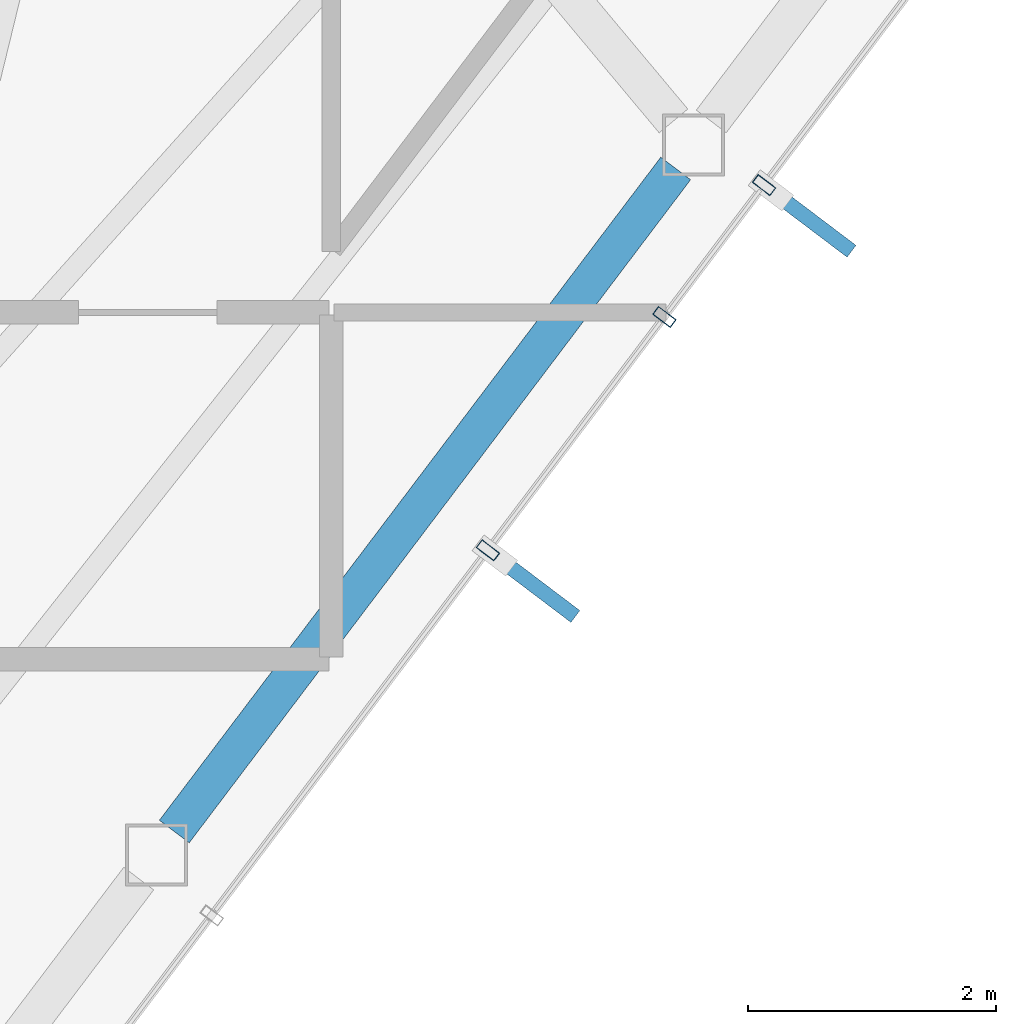
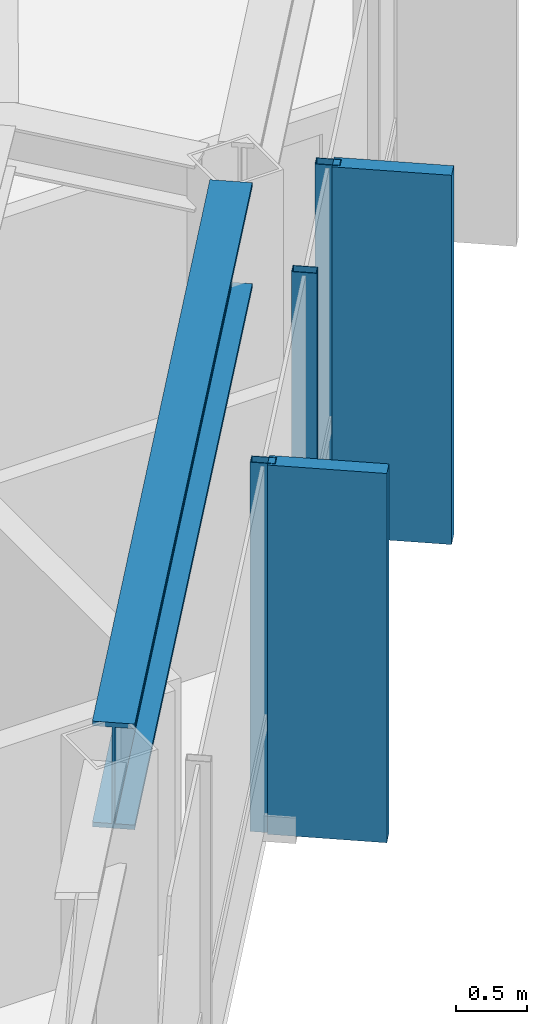
# One storey, part 15 of 24: 5 members, 1 beam, 1 element without a shape of its own.
"""IFC4 building model written with IfcOpenShell, lengths in metres."""

from ifc_helpers import new_model, si_unit, direction, frame, origin, origin_2d, place, context, subcontext, project, spatial, rectangle, hollow_rectangle, i_section, extrude, material, layer, layer_set, material_profile, profile_set, type_object, element, aggregate, save


model = new_model("IFC4")

# Units and contexts
model_context = context("Model", 3, precision=1e-05, world=origin(), true_north=direction((0.0, 1.0)))
body_context = subcontext(model_context, "Body", "Model", "MODEL_VIEW")
ifc_project = project(units=[si_unit("LENGTHUNIT", "METRE"), si_unit("AREAUNIT", "SQUARE_METRE"), si_unit("VOLUMEUNIT", "CUBIC_METRE"), si_unit("PLANEANGLEUNIT", "RADIAN"), si_unit("MASSUNIT", "GRAM", prefix="KILO")], contexts=[model_context])

# Site, building, storey
site_placement = place(None, origin())
site = spatial("IfcSite", under=ifc_project, at=site_placement, CompositionType="ELEMENT")
building_placement = place(site_placement, origin())
building = spatial("IfcBuilding", under=site, at=building_placement, Name="Zarrinselat Tower", CompositionType="ELEMENT")
storey_placement = place(building_placement, frame((0.0, 0.0, 272.0)))
storey = spatial("IfcBuildingStorey", under=building, at=storey_placement, Name="L69", CompositionType="ELEMENT", Elevation=272.0)

# Beam
ifc_material_1 = material(Name="Steel S460M", Category="steel")
ifc_material_profile_1 = material_profile(ifc_material_1, i_section(OverallWidth=0.302001953125, OverallDepth=0.909912109375, WebThickness=0.02099609375, FlangeThickness=0.0400390625, at=origin_2d()), Name="HEM 900")
ifc_profile_set_1 = profile_set([ifc_material_profile_1], Name="Steel S460M")
beam_type = type_object("IfcBeamType", Name="BM-HEM900", PredefinedType="BEAM", material=ifc_profile_set_1)
beam_placement = place(storey_placement, frame((47.08203125, 25.9599609375, 2.72509765625), z_axis=(0.603161908748, 0.797618776005, 0.0), x_axis=(-0.797618776005, 0.603161908748, 0.0)))
element("IfcBeam", 1, at=beam_placement, inside=storey, type_object=beam_type, Name="L69 Perimeter Spandrel Girder SP12", PredefinedType="BEAM", context=body_context, shape_type="SweptSolid", body=[
    extrude(i_section(OverallWidth=0.302001953125, OverallDepth=0.909912109375, WebThickness=0.02099609375, FlangeThickness=0.0400390625, at=origin_2d()), origin(), (0.0, 0.0, 1.0), 6.710693359375),
])

# Curtain wall, members
ifc_material_2 = material(Name="Extruded Aluminium Alloy EN AW-6063 T6", Category="aluminium")
ifc_layer = layer(ifc_material_2, 0.199951171875)
ifc_layer_set = layer_set([ifc_layer], Name="Extruded Aluminium Alloy EN AW-6063 T6")
curtain_wall_type = type_object("IfcCurtainWallType", Name="CWS-BLADE", PredefinedType="NOTDEFINED", material=ifc_layer_set)
curtain_wall_placement = place(storey_placement, origin())
curtain_wall = element("IfcCurtainWall", 2, at=curtain_wall_placement, inside=storey, type_object=curtain_wall_type, Name="L69 Unitised Curtain Wall CW-L69-E05", PredefinedType="NOTDEFINED")
ifc_material_3 = material(Name="Extruded Aluminium Alloy EN AW-6063 T6", Category="aluminium")
ifc_material_profile_2 = material_profile(ifc_material_3, hollow_rectangle(XDim=0.080078125, YDim=0.179931640625, WallThickness=0.0048828125, at=origin_2d()), Name="RHS 180x80x5")
ifc_profile_set_2 = profile_set([ifc_material_profile_2], Name="Extruded Aluminium Alloy EN AW-6063 T6")
member_type_1 = type_object("IfcMemberType", Name="MEM-CW-MUL", PredefinedType="MULLION", material=ifc_profile_set_2)
member_1_placement = place(storey_placement, frame((49.61376953125, 28.230224609375, 0.0), z_axis=(0.0, 0.0, 1.0), x_axis=(0.603169586453, 0.797612970041, 0.0)))
member_1 = element("IfcMember", 3, at=member_1_placement, type_object=member_type_1, Name="CW-L69-E05 Mullion 3", PredefinedType="MULLION", context=body_context, shape_type="SweptSolid", body=[
    extrude(hollow_rectangle(XDim=0.080078125, YDim=0.179931640625, WallThickness=0.0048828125, at=origin_2d()), origin(), (0.0, 0.0, 1.0), 3.179931640625),
])
member_2_placement = place(storey_placement, frame((51.0380859375, 30.11376953125, 0.0), z_axis=(0.0, 0.0, 1.0), x_axis=(0.603169586453, 0.797612970041, 0.0)))
member_2 = element("IfcMember", 4, at=member_2_placement, type_object=member_type_1, Name="CW-L69-E05 Mullion 4", PredefinedType="MULLION", context=body_context, shape_type="SweptSolid", body=[
    extrude(hollow_rectangle(XDim=0.080078125, YDim=0.179931640625, WallThickness=0.0048828125, at=origin_2d()), origin(), (0.0, 0.0, 1.0), 3.179931640625),
])
member_3_placement = place(storey_placement, frame((51.8427734375, 31.177490234375, 0.0), z_axis=(0.0, 0.0, 1.0), x_axis=(0.603169586453, 0.797612970041, 0.0)))
member_3 = element("IfcMember", 5, at=member_3_placement, type_object=member_type_1, Name="CW-L69-E05 Mullion 5", PredefinedType="MULLION", context=body_context, shape_type="SweptSolid", body=[
    extrude(hollow_rectangle(XDim=0.080078125, YDim=0.179931640625, WallThickness=0.0048828125, at=origin_2d()), origin(), (0.0, 0.0, 1.0), 3.179931640625),
])
ifc_material_4 = material(Name="Honed Cream Travertine Stone", Category="masonry")
ifc_material_profile_3 = material_profile(ifc_material_4, rectangle(XDim=0.1201171875, YDim=0.85009765625, at=origin_2d()), Name="FIN 850x120")
ifc_profile_set_3 = profile_set([ifc_material_profile_3], Name="Honed Cream Travertine Stone")
member_type_2 = type_object("IfcMemberType", Name="MEM-STONE-FIN", PredefinedType="USERDEFINED", material=ifc_profile_set_3)
member_4_placement = place(storey_placement, frame((49.980712890625, 27.95263671875, 0.0), z_axis=(0.0, 0.0, 1.0), x_axis=(-0.603169586453, -0.797612970041, 0.0)))
member_4 = element("IfcMember", 6, at=member_4_placement, type_object=member_type_2, Name="L69 Stone Shading Fin CW-L69-E05-03", ObjectType="FIN", PredefinedType="USERDEFINED", context=body_context, shape_type="SweptSolid", body=[
    extrude(rectangle(XDim=0.1201171875, YDim=0.85009765625, at=origin_2d()), origin(), (0.0, 0.0, 1.0), 3.179931640625),
])
member_5_placement = place(storey_placement, frame((52.209716796875, 30.900146484375, 0.0), z_axis=(0.0, 0.0, 1.0), x_axis=(-0.603169586453, -0.797612970041, 0.0)))
member_5 = element("IfcMember", 7, at=member_5_placement, type_object=member_type_2, Name="L69 Stone Shading Fin CW-L69-E05-05", ObjectType="FIN", PredefinedType="USERDEFINED", context=body_context, shape_type="SweptSolid", body=[
    extrude(rectangle(XDim=0.1201171875, YDim=0.85009765625, at=origin_2d()), origin(), (0.0, 0.0, 1.0), 3.179931640625),
])
aggregate(curtain_wall, [member_1, member_4, member_2, member_3, member_5])

save(model, "model.ifc")
